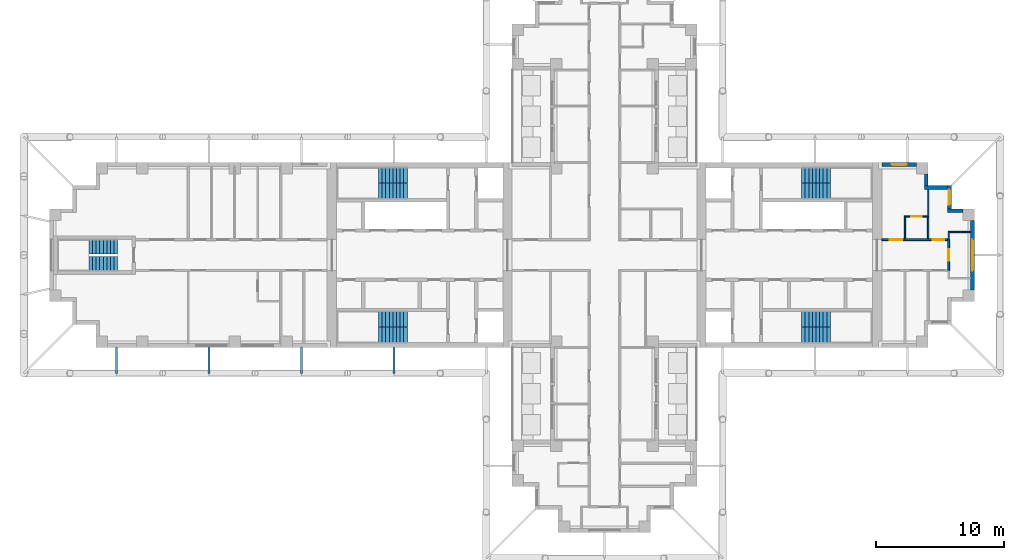
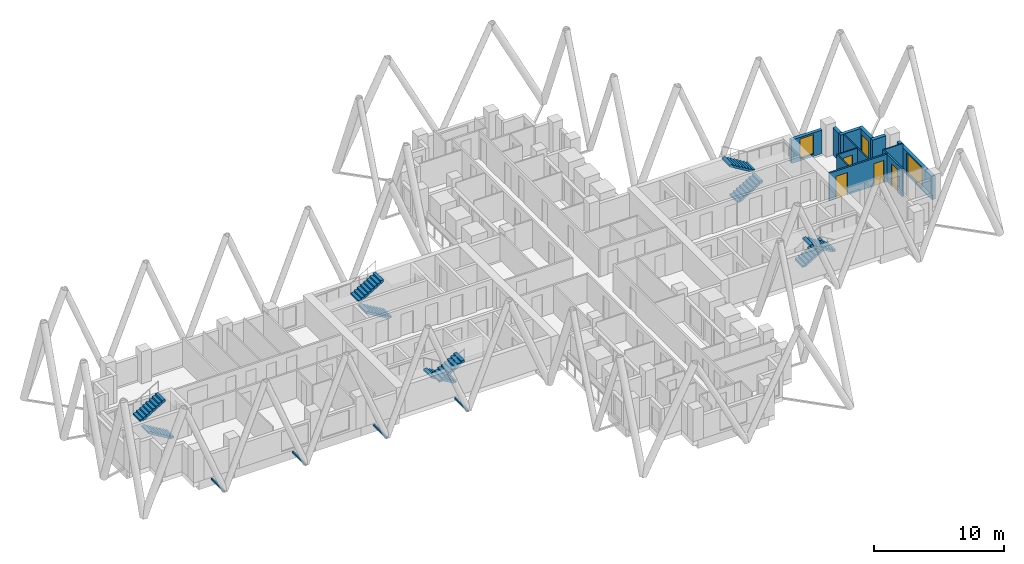
# One storey, part 9 of 12: 14 walls, 10 stair flights, 4 discrete accessories, 4 doors, 3 windows, 7 openings, 5 elements without a shape of their own.
"""IFC4 building model written with IfcOpenShell, lengths in metres."""

from ifc_helpers import new_model, si_unit, direction, frame, frame_2d, origin, origin_2d, place, context, subcontext, project, spatial, polyline, rectangle, hollow_rectangle, outline, extrude, material, layer, layer_set, type_object, element, fill, aggregate, save


model = new_model("IFC4")

# Units and contexts
model_context = context("Model", 3, precision=1e-05, world=origin(), true_north=direction((0.0, 1.0)))
body_context = subcontext(model_context, "Body", "Model", "MODEL_VIEW")
ifc_project = project(units=[si_unit("LENGTHUNIT", "METRE"), si_unit("AREAUNIT", "SQUARE_METRE"), si_unit("VOLUMEUNIT", "CUBIC_METRE"), si_unit("PLANEANGLEUNIT", "RADIAN"), si_unit("MASSUNIT", "GRAM", prefix="KILO")], contexts=[model_context])

# Site, building, storey
site_placement = place(None, origin())
site = spatial("IfcSite", under=ifc_project, at=site_placement, CompositionType="ELEMENT")
building_placement = place(site_placement, origin())
building = spatial("IfcBuilding", under=site, at=building_placement, Name="Fustian Cross Tower", CompositionType="ELEMENT")
storey_placement = place(building_placement, frame((0.0, 0.0, 179.699951171875)))
storey = spatial("IfcBuildingStorey", under=building, at=storey_placement, Name="L56", CompositionType="ELEMENT", Elevation=179.699951171875)

# Wall, openings, doors
ifc_material_1 = material(Name="Plasterboard on steel stud", Category="steel")
ifc_layer_1 = layer(ifc_material_1, 0.14990234375)
ifc_layer_set_1 = layer_set([ifc_layer_1], Name="Plasterboard on steel stud")
wall_type_1 = type_object("IfcWallType", Name="COMPARTMENT WALL 150 EI 60", PredefinedType="PARTITIONING", material=ifc_layer_set_1)
wall_1_placement = place(storey_placement, frame((21.60009765625, 1.199951171875, 0.0), z_axis=(0.0, 0.0, 1.0), x_axis=(1.0, 0.0, 0.0)))
wall_1 = element("IfcWall", 1, at=wall_1_placement, inside=storey, type_object=wall_type_1, Name="Partition 59", PredefinedType="PARTITIONING", context=body_context, shape_type="SweptSolid", body=[
    extrude(rectangle(XDim=5.125, YDim=0.14990234375, at=frame_2d((2.5625, 0.0))), origin(), (0.0, 0.0, 1.0), 2.60009765625),
])
opening_1_placement = place(wall_1_placement, frame((0.60009765625, 0.0, 0.0)))
opening_1 = element("IfcOpeningElement", 2, at=opening_1_placement, cuts=wall_1, Name="Opening D26012", PredefinedType="OPENING", context=body_context, shape_type="SweptSolid", body=[
    extrude(rectangle(XDim=1.0, YDim=2.10009765625, at=frame_2d((0.5, 1.050048828125))), frame((0.0, 0.0849609375, 0.0), z_axis=(0.0, -1.0, 0.0), x_axis=(1.0, 0.0, 0.0)), (0.0, 0.0, 1.0), 0.169921875),
])
opening_2_placement = place(wall_1_placement, frame((3.949951171875, 0.0, 0.0)))
opening_2 = element("IfcOpeningElement", 3, at=opening_2_placement, cuts=wall_1, Name="Opening D26013", PredefinedType="OPENING", context=body_context, shape_type="SweptSolid", body=[
    extrude(rectangle(XDim=0.89990234375, YDim=2.10009765625, at=frame_2d((0.449951171875, 1.050048828125))), frame((0.0, 0.0849609375, 0.0), z_axis=(0.0, -1.0, 0.0), x_axis=(1.0, 0.0, 0.0)), (0.0, 0.0, 1.0), 0.169921875),
])
ifc_material_2 = material(Name="Timber fire door set", Category="wood")
door_type_1 = type_object("IfcDoorType", Name="FIRE SWING DOOR 1000 FD30S", OperationType="SINGLE_SWING_LEFT", PredefinedType="DOOR", material=ifc_material_2)
door_1_placement = place(opening_1_placement, origin())
door_1 = element("IfcDoor", 4, at=door_1_placement, inside=storey, type_object=door_type_1, Name="Door D26012", OperationType="SINGLE_SWING_RIGHT", OverallHeight=2.10009765625, OverallWidth=1.0, PredefinedType="DOOR", context=body_context, shape_type="SweptSolid", body=[
    extrude(rectangle(XDim=1.0, YDim=2.10009765625, at=frame_2d((0.5, 1.050048828125))), frame((0.0, 0.02490234375, 0.0), z_axis=(0.0, -1.0, 0.0), x_axis=(1.0, 0.0, 0.0)), (0.0, 0.0, 1.0), 0.050048828125),
])
fill(opening_1, door_1)
ifc_material_3 = material(Name="Timber fire door set", Category="wood")
door_type_2 = type_object("IfcDoorType", Name="FIRE SWING DOOR 900 FD30S", OperationType="SINGLE_SWING_LEFT", PredefinedType="DOOR", material=ifc_material_3)
door_2_placement = place(opening_2_placement, origin())
door_2 = element("IfcDoor", 5, at=door_2_placement, inside=storey, type_object=door_type_2, Name="Door D26013", OperationType="SINGLE_SWING_LEFT", OverallHeight=2.10009765625, OverallWidth=0.89990234375, PredefinedType="DOOR", context=body_context, shape_type="SweptSolid", body=[
    extrude(rectangle(XDim=0.89990234375, YDim=2.10009765625, at=frame_2d((0.449951171875, 1.050048828125))), frame((0.0, 0.02490234375, 0.0), z_axis=(0.0, -1.0, 0.0), x_axis=(1.0, 0.0, 0.0)), (0.0, 0.0, 1.0), 0.050048828125),
])
fill(opening_2, door_2)

# Wall, opening, door
wall_2_placement = place(storey_placement, frame((26.800048828125, -1.199951171875, 0.0), z_axis=(0.0, 0.0, 1.0), x_axis=(0.0, 1.0, 0.0)))
wall_2 = element("IfcWall", 6, at=wall_2_placement, inside=storey, type_object=wall_type_1, Name="Partition 68", PredefinedType="PARTITIONING", context=body_context, shape_type="SweptSolid", body=[
    extrude(rectangle(XDim=2.39990234375, YDim=0.14990234375, at=frame_2d((1.199951171875, 0.0))), origin(), (0.0, 0.0, 1.0), 2.60009765625),
])
opening_3_placement = place(wall_2_placement, frame((0.75, 0.0, 0.0)))
opening_3 = element("IfcOpeningElement", 7, at=opening_3_placement, cuts=wall_2, Name="Opening D26010", PredefinedType="OPENING", context=body_context, shape_type="SweptSolid", body=[
    extrude(rectangle(XDim=0.89990234375, YDim=2.10009765625, at=frame_2d((0.449951171875, 1.050048828125))), frame((0.0, 0.0849609375, 0.0), z_axis=(0.0, -1.0, 0.0), x_axis=(1.0, 0.0, 0.0)), (0.0, 0.0, 1.0), 0.169921875),
])
door_3_placement = place(opening_3_placement, frame((0.89990234375, 0.0, 0.0), z_axis=(0.0, 0.0, 1.0), x_axis=(-1.0, 0.0, 0.0)))
door_3 = element("IfcDoor", 8, at=door_3_placement, inside=storey, type_object=door_type_2, Name="Door D26010", OperationType="SINGLE_SWING_RIGHT", OverallHeight=2.10009765625, OverallWidth=0.89990234375, PredefinedType="DOOR", context=body_context, shape_type="SweptSolid", body=[
    extrude(rectangle(XDim=0.89990234375, YDim=2.10009765625, at=frame_2d((0.449951171875, 1.050048828125))), frame((0.0, 0.02490234375, 0.0), z_axis=(0.0, -1.0, 0.0), x_axis=(1.0, 0.0, 0.0)), (0.0, 0.0, 1.0), 0.050048828125),
])
fill(opening_3, door_3)

# Wall
ifc_material_4 = material(Name="Plasterboard on steel stud", Category="steel")
ifc_layer_2 = layer(ifc_material_4, 0.10009765625)
ifc_layer_set_2 = layer_set([ifc_layer_2], Name="Plasterboard on steel stud")
wall_type_2 = type_object("IfcWallType", Name="PARTITION 100 STUD", PredefinedType="PARTITIONING", material=ifc_layer_set_2)
wall_3_placement = place(storey_placement, frame((23.39990234375, 1.27490234375, 0.0), z_axis=(0.0, 0.0, 1.0), x_axis=(0.0, 1.0, 0.0)))
element("IfcWall", 9, at=wall_3_placement, inside=storey, type_object=wall_type_2, Name="Partition 61", PredefinedType="PARTITIONING", context=body_context, shape_type="SweptSolid", body=[
    extrude(rectangle(XDim=1.775146484375, YDim=0.10009765625, at=frame_2d((0.8876953125, 0.0))), origin(), (0.0, 0.0, 1.0), 2.60009765625),
])

# Wall, opening, door
wall_4_placement = place(storey_placement, frame((23.449951171875, 3.0, 0.0), z_axis=(0.0, 0.0, 1.0), x_axis=(1.0, 0.0, 0.0)))
wall_4 = element("IfcWall", 10, at=wall_4_placement, inside=storey, type_object=wall_type_2, Name="Partition 62", PredefinedType="PARTITIONING", context=body_context, shape_type="SweptSolid", body=[
    extrude(rectangle(XDim=1.6875, YDim=0.10009765625, at=frame_2d((0.84375, 0.0))), origin(), (0.0, 0.0, 1.0), 2.60009765625),
])
opening_4_placement = place(wall_4_placement, frame((0.449951171875, 0.0, 0.0)))
opening_4 = element("IfcOpeningElement", 11, at=opening_4_placement, cuts=wall_4, Name="Opening D26011", PredefinedType="OPENING", context=body_context, shape_type="SweptSolid", body=[
    extrude(rectangle(XDim=0.800048828125, YDim=2.10009765625, at=frame_2d((0.39990234375, 1.050048828125))), frame((0.0, 0.06005859375, 0.0), z_axis=(0.0, -1.0, 0.0), x_axis=(1.0, 0.0, 0.0)), (0.0, 0.0, 1.0), 0.1201171875),
])
ifc_material_5 = material(Name="Painted timber", Category="wood")
door_type_3 = type_object("IfcDoorType", Name="SWING DOOR 800", OperationType="SINGLE_SWING_LEFT", PredefinedType="DOOR", material=ifc_material_5)
door_4_placement = place(opening_4_placement, frame((0.800048828125, 0.0, 0.0), z_axis=(0.0, 0.0, 1.0), x_axis=(-1.0, 0.0, 0.0)))
door_4 = element("IfcDoor", 12, at=door_4_placement, inside=storey, type_object=door_type_3, Name="Door D26011", OperationType="SINGLE_SWING_LEFT", OverallHeight=2.10009765625, OverallWidth=0.800048828125, PredefinedType="DOOR", context=body_context, shape_type="SweptSolid", body=[
    extrude(rectangle(XDim=0.800048828125, YDim=2.10009765625, at=frame_2d((0.39990234375, 1.050048828125))), frame((0.0, 0.02490234375, 0.0), z_axis=(0.0, -1.0, 0.0), x_axis=(1.0, 0.0, 0.0)), (0.0, 0.0, 1.0), 0.050048828125),
])
fill(opening_4, door_4)

# Walls
wall_5_placement = place(storey_placement, frame((25.199951171875, 3.0, 0.0), z_axis=(0.0, 0.0, 1.0), x_axis=(0.0, 1.0, 0.0)))
element("IfcWall", 13, at=wall_5_placement, inside=storey, type_object=wall_type_2, Name="Partition 65", PredefinedType="PARTITIONING", context=body_context, shape_type="SweptSolid", body=[
    extrude(rectangle(XDim=2.10009765625, YDim=0.10009765625, at=frame_2d((1.050048828125, 0.0))), origin(), (0.0, 0.0, 1.0), 2.60009765625),
])
wall_6_placement = place(storey_placement, frame((26.800048828125, 1.199951171875, 0.0), z_axis=(0.0, 0.0, 1.0), x_axis=(0.0, 1.0, 0.0)))
element("IfcWall", 14, at=wall_6_placement, inside=storey, type_object=wall_type_2, Name="Partition 69", PredefinedType="PARTITIONING", context=body_context, shape_type="SweptSolid", body=[
    extrude(rectangle(XDim=0.650146484375, YDim=0.10009765625, at=frame_2d((0.3251953125, 0.0))), origin(), (0.0, 0.0, 1.0), 2.60009765625),
])
wall_7_placement = place(storey_placement, frame((26.85009765625, 1.800048828125, 0.0), z_axis=(0.0, 0.0, 1.0), x_axis=(1.0, 0.0, 0.0)))
element("IfcWall", 15, at=wall_7_placement, inside=storey, type_object=wall_type_2, Name="Partition 70", PredefinedType="PARTITIONING", context=body_context, shape_type="SweptSolid", body=[
    extrude(rectangle(XDim=1.64990234375, YDim=0.10009765625, at=frame_2d((0.824951171875, 0.0))), origin(), (0.0, 0.0, 1.0), 2.60009765625),
])
ifc_material_6 = material(Name="Plasterboard on steel stud", Category="steel")
ifc_layer_3 = layer(ifc_material_6, 0.125)
ifc_layer_set_3 = layer_set([ifc_layer_3], Name="Plasterboard on steel stud")
wall_type_3 = type_object("IfcWallType", Name="WET WALL 125 STUD", PredefinedType="PARTITIONING", material=ifc_layer_set_3)
wall_8_placement = place(storey_placement, frame((25.199951171875, 1.27490234375, 0.0), z_axis=(0.0, 0.0, 1.0), x_axis=(0.0, 1.0, 0.0)))
element("IfcWall", 16, at=wall_8_placement, inside=storey, type_object=wall_type_3, Name="Partition 64", PredefinedType="PARTITIONING", context=body_context, shape_type="SweptSolid", body=[
    extrude(rectangle(XDim=1.72509765625, YDim=0.125, at=frame_2d((0.862548828125, 0.0))), origin(), (0.0, 0.0, 1.0), 2.60009765625),
])

# Wall, opening, window
ifc_material_7 = material(Name="Dark aluminium cladding on insulated backing wall", Category="aluminium")
ifc_layer_4 = layer(ifc_material_7, 0.300048828125)
ifc_layer_set_4 = layer_set([ifc_layer_4], Name="Dark aluminium cladding on insulated backing wall")
wall_type_4 = type_object("IfcWallType", Name="XW1 EXTERNAL WALL 300", PredefinedType="SOLIDWALL", material=ifc_layer_set_4)
wall_9_placement = place(storey_placement, frame((28.64990234375, -2.699951171875, 0.0), z_axis=(0.0, 0.0, 1.0), x_axis=(0.0, 1.0, 0.0)))
wall_9 = element("IfcWall", 17, at=wall_9_placement, inside=storey, type_object=wall_type_4, Name="External wall", PredefinedType="SOLIDWALL", context=body_context, shape_type="SweptSolid", body=[
    extrude(rectangle(XDim=5.39990234375, YDim=0.300048828125, at=frame_2d((2.699951171875, 0.0))), origin(), (0.0, 0.0, 1.0), 2.199951171875),
])
opening_5_placement = place(wall_9_placement, frame((1.5, 0.0, 0.199951171875)))
opening_5 = element("IfcOpeningElement", 18, at=opening_5_placement, cuts=wall_9, Name="Opening WN1", PredefinedType="OPENING", context=body_context, shape_type="SweptSolid", body=[
    extrude(rectangle(XDim=2.39990234375, YDim=1.85009765625, at=frame_2d((1.199951171875, 0.925048828125))), frame((0.0, 0.159912109375, 0.0), z_axis=(0.0, -1.0, 0.0), x_axis=(1.0, 0.0, 0.0)), (0.0, 0.0, 1.0), 0.320068359375),
])
ifc_material_8 = material(Name="Dark anodised aluminium and double glazing", Category="aluminium")
window_type_1 = type_object("IfcWindowType", Name="WN1 WINDOW 2400X1850", PartitioningType="SINGLE_PANEL", PredefinedType="WINDOW", material=ifc_material_8)
window_1_placement = place(opening_5_placement, origin())
window_1 = element("IfcWindow", 19, at=window_1_placement, inside=storey, type_object=window_type_1, Name="Window", OverallHeight=1.85009765625, OverallWidth=2.39990234375, PartitioningType="SINGLE_PANEL", PredefinedType="WINDOW", context=body_context, shape_type="SweptSolid", body=[
    extrude(rectangle(XDim=2.39990234375, YDim=1.85009765625, at=frame_2d((1.199951171875, 0.925048828125))), frame((0.0, 0.030029296875, 0.0), z_axis=(0.0, -1.0, 0.0), x_axis=(1.0, 0.0, 0.0)), (0.0, 0.0, 1.0), 0.06005859375),
])
fill(opening_5, window_1)

# Wall
wall_10_placement = place(storey_placement, frame((27.89990234375, 3.449951171875, 0.0), z_axis=(0.0, 0.0, 1.0), x_axis=(-1.0, 0.0, 0.0)))
element("IfcWall", 20, at=wall_10_placement, inside=storey, type_object=wall_type_4, Name="External wall", PredefinedType="SOLIDWALL", context=body_context, shape_type="SweptSolid", body=[
    extrude(rectangle(XDim=1.199951171875, YDim=0.300048828125, at=frame_2d((0.60009765625, 0.0))), origin(), (0.0, 0.0, 1.0), 2.60009765625),
])

# Wall, opening, window
wall_11_placement = place(storey_placement, frame((26.85009765625, 3.60009765625, 0.0), z_axis=(0.0, 0.0, 1.0), x_axis=(0.0, 1.0, 0.0)))
wall_11 = element("IfcWall", 21, at=wall_11_placement, inside=storey, type_object=wall_type_4, Name="External wall", PredefinedType="SOLIDWALL", context=body_context, shape_type="SweptSolid", body=[
    extrude(rectangle(XDim=1.7998046875, YDim=0.300048828125, at=frame_2d((0.89990234375, 0.0))), origin(), (0.0, 0.0, 1.0), 2.60009765625),
])
opening_6_placement = place(wall_11_placement, frame((0.300048828125, 0.0, 0.199951171875)))
opening_6 = element("IfcOpeningElement", 22, at=opening_6_placement, cuts=wall_11, Name="Opening WN3", PredefinedType="OPENING", context=body_context, shape_type="SweptSolid", body=[
    extrude(rectangle(XDim=1.199951171875, YDim=1.85009765625, at=frame_2d((0.60009765625, 0.925048828125))), frame((0.0, 0.159912109375, 0.0), z_axis=(0.0, -1.0, 0.0), x_axis=(1.0, 0.0, 0.0)), (0.0, 0.0, 1.0), 0.320068359375),
])
ifc_material_9 = material(Name="Dark anodised aluminium and double glazing", Category="aluminium")
window_type_2 = type_object("IfcWindowType", Name="WN3 WINDOW 1200X1850", PartitioningType="SINGLE_PANEL", PredefinedType="WINDOW", material=ifc_material_9)
window_2_placement = place(opening_6_placement, origin())
window_2 = element("IfcWindow", 23, at=window_2_placement, inside=storey, type_object=window_type_2, Name="Window", OverallHeight=1.85009765625, OverallWidth=1.199951171875, PartitioningType="SINGLE_PANEL", PredefinedType="WINDOW", context=body_context, shape_type="SweptSolid", body=[
    extrude(rectangle(XDim=1.199951171875, YDim=1.85009765625, at=frame_2d((0.60009765625, 0.925048828125))), frame((0.0, 0.030029296875, 0.0), z_axis=(0.0, -1.0, 0.0), x_axis=(1.0, 0.0, 0.0)), (0.0, 0.0, 1.0), 0.06005859375),
])
fill(opening_6, window_2)

# Walls
wall_12_placement = place(storey_placement, frame((26.699951171875, 5.25, 0.0), z_axis=(0.0, 0.0, 1.0), x_axis=(-1.0, 0.0, 0.0)))
element("IfcWall", 24, at=wall_12_placement, inside=storey, type_object=wall_type_4, Name="External wall", PredefinedType="SOLIDWALL", context=body_context, shape_type="SweptSolid", body=[
    extrude(rectangle(XDim=1.800048828125, YDim=0.300048828125, at=frame_2d((0.89990234375, 0.0))), origin(), (0.0, 0.0, 1.0), 2.60009765625),
])
wall_13_placement = place(storey_placement, frame((25.050048828125, 5.39990234375, 0.0), z_axis=(0.0, 0.0, 1.0), x_axis=(0.0, 1.0, 0.0)))
element("IfcWall", 25, at=wall_13_placement, inside=storey, type_object=wall_type_4, Name="External wall", PredefinedType="SOLIDWALL", context=body_context, shape_type="SweptSolid", body=[
    extrude(rectangle(XDim=0.900146484375, YDim=0.300048828125, at=frame_2d((0.4501953125, 0.0))), origin(), (0.0, 0.0, 1.0), 2.60009765625),
])

# Wall, opening, window
wall_14_placement = place(storey_placement, frame((24.300048828125, 7.050048828125, 0.0), z_axis=(0.0, 0.0, 1.0), x_axis=(-1.0, 0.0, 0.0)))
wall_14 = element("IfcWall", 26, at=wall_14_placement, inside=storey, type_object=wall_type_4, Name="External wall", PredefinedType="SOLIDWALL", context=body_context, shape_type="SweptSolid", body=[
    extrude(rectangle(XDim=2.699951171875, YDim=0.300048828125, at=frame_2d((1.35009765625, 0.0))), origin(), (0.0, 0.0, 1.0), 2.199951171875),
])
opening_7_placement = place(wall_14_placement, frame((0.75, 0.0, 0.199951171875)))
opening_7 = element("IfcOpeningElement", 27, at=opening_7_placement, cuts=wall_14, Name="Opening WN3", PredefinedType="OPENING", context=body_context, shape_type="SweptSolid", body=[
    extrude(rectangle(XDim=1.199951171875, YDim=1.85009765625, at=frame_2d((0.60009765625, 0.925048828125))), frame((0.0, 0.159912109375, 0.0), z_axis=(0.0, -1.0, 0.0), x_axis=(1.0, 0.0, 0.0)), (0.0, 0.0, 1.0), 0.320068359375),
])
window_3_placement = place(opening_7_placement, origin())
window_3 = element("IfcWindow", 28, at=window_3_placement, inside=storey, type_object=window_type_2, Name="Window", OverallHeight=1.85009765625, OverallWidth=1.199951171875, PartitioningType="SINGLE_PANEL", PredefinedType="WINDOW", context=body_context, shape_type="SweptSolid", body=[
    extrude(rectangle(XDim=1.199951171875, YDim=1.85009765625, at=frame_2d((0.60009765625, 0.925048828125))), frame((0.0, 0.030029296875, 0.0), z_axis=(0.0, -1.0, 0.0), x_axis=(1.0, 0.0, 0.0)), (0.0, 0.0, 1.0), 0.06005859375),
])
fill(opening_7, window_3)

# Stair, stair flights
ifc_material_10 = material(Name="Concrete C50/60", Category="concrete")
stair_type_1 = type_object("IfcStairType", Name="STAIR 1100 HALF TURN", PredefinedType="HALF_TURN_STAIR", material=ifc_material_10)
stair_1_placement = place(storey_placement, origin())
stair_1 = element("IfcStair", 29, at=stair_1_placement, inside=storey, type_object=stair_type_1, Name="Stair ST9", PredefinedType="HALF_TURN_STAIR")
ifc_material_11 = material(Name="Concrete C50/60", Category="concrete")
stair_flight_type_1 = type_object("IfcStairFlightType", Name="STAIR FLIGHT 1100", PredefinedType="STRAIGHT", material=ifc_material_11)
stair_flight_1_placement = place(storey_placement, frame((-37.89990234375, -0.64990234375, 0.0), z_axis=(0.0, 0.0, 1.0), x_axis=(-1.0, 0.0, 0.0)))
stair_flight_1 = element("IfcStairFlight", 30, at=stair_flight_1_placement, type_object=stair_flight_type_1, Name="ST9 flight 1", NumberOfRisers=9, NumberOfTreads=8, PredefinedType="STRAIGHT", RiserHeight=0.166666667, TreadLength=0.28, context=body_context, shape_type="SweptSolid", body=[
    extrude(outline(polyline([(0.0, 0.0), (0.0, 0.166748046875), (0.280029296875, 0.166748046875), (0.280029296875, 0.333251953125), (0.56005859375, 0.333251953125), (0.56005859375, 0.5), (0.840087890625, 0.5), (0.840087890625, 0.666748046875), (1.1201171875, 0.666748046875), (1.1201171875, 0.833251953125), (1.39990234375, 0.833251953125), (1.39990234375, 1.0), (1.679931640625, 1.0), (1.679931640625, 1.166748046875), (1.9599609375, 1.166748046875), (1.9599609375, 1.333251953125), (2.239990234375, 1.333251953125), (2.239990234375, 1.5), (2.239990234375, 1.158935546875), (0.29296875, 0.0), (0.0, 0.0)])), frame((0.0, 0.550048828125, 0.0), z_axis=(0.0, -1.0, 0.0), x_axis=(1.0, 0.0, 0.0)), (0.0, 0.0, 1.0), 1.10009765625),
])
stair_flight_2_placement = place(storey_placement, frame((-40.139892578125, 0.64990234375, 1.5), z_axis=(0.0, 0.0, 1.0), x_axis=(1.0, 0.0, 0.0)))
stair_flight_2 = element("IfcStairFlight", 31, at=stair_flight_2_placement, type_object=stair_flight_type_1, Name="ST9 flight 2", NumberOfRisers=9, NumberOfTreads=8, PredefinedType="STRAIGHT", RiserHeight=0.166666667, TreadLength=0.28, context=body_context, shape_type="SweptSolid", body=[
    extrude(outline(polyline([(0.0, 0.0), (0.0, 0.166748046875), (0.280029296875, 0.166748046875), (0.280029296875, 0.333251953125), (0.56005859375, 0.333251953125), (0.56005859375, 0.5), (0.840087890625, 0.5), (0.840087890625, 0.666748046875), (1.1201171875, 0.666748046875), (1.1201171875, 0.833251953125), (1.39990234375, 0.833251953125), (1.39990234375, 1.0), (1.679931640625, 1.0), (1.679931640625, 1.166748046875), (1.9599609375, 1.166748046875), (1.9599609375, 1.333251953125), (2.239990234375, 1.333251953125), (2.239990234375, 1.5), (2.239990234375, 1.158935546875), (0.29296875, 0.0), (0.0, 0.0)])), frame((0.0, 0.550048828125, 0.0), z_axis=(0.0, -1.0, 0.0), x_axis=(1.0, 0.0, 0.0)), (0.0, 0.0, 1.0), 1.10009765625),
])
aggregate(stair_1, [stair_flight_1, stair_flight_2])

ifc_material_12 = material(Name="Concrete C50/60", Category="concrete")
stair_type_2 = type_object("IfcStairType", Name="STAIR 1200 HALF TURN", PredefinedType="HALF_TURN_STAIR", material=ifc_material_12)
stair_2_placement = place(storey_placement, origin())
stair_2 = element("IfcStair", 32, at=stair_2_placement, inside=storey, type_object=stair_type_2, Name="Stair ST1", PredefinedType="HALF_TURN_STAIR")
ifc_material_13 = material(Name="Concrete C50/60", Category="concrete")
stair_flight_type_2 = type_object("IfcStairFlightType", Name="STAIR FLIGHT 1200", PredefinedType="STRAIGHT", material=ifc_material_13)
stair_flight_3_placement = place(storey_placement, frame((15.35009765625, 5.0, 0.0), z_axis=(0.0, 0.0, 1.0), x_axis=(1.0, 0.0, 0.0)))
stair_flight_3 = element("IfcStairFlight", 33, at=stair_flight_3_placement, type_object=stair_flight_type_2, Name="ST1 flight 1", NumberOfRisers=9, NumberOfTreads=8, PredefinedType="STRAIGHT", RiserHeight=0.166666667, TreadLength=0.28, context=body_context, shape_type="SweptSolid", body=[
    extrude(outline(polyline([(0.0, 0.0), (0.0, 0.166748046875), (0.280029296875, 0.166748046875), (0.280029296875, 0.333251953125), (0.56005859375, 0.333251953125), (0.56005859375, 0.5), (0.840087890625, 0.5), (0.840087890625, 0.666748046875), (1.1201171875, 0.666748046875), (1.1201171875, 0.833251953125), (1.39990234375, 0.833251953125), (1.39990234375, 1.0), (1.679931640625, 1.0), (1.679931640625, 1.166748046875), (1.9599609375, 1.166748046875), (1.9599609375, 1.333251953125), (2.239990234375, 1.333251953125), (2.239990234375, 1.5), (2.239990234375, 1.158935546875), (0.29296875, 0.0), (0.0, 0.0)])), frame((0.0, 0.60009765625, 0.0), z_axis=(0.0, -1.0, 0.0), x_axis=(1.0, 0.0, 0.0)), (0.0, 0.0, 1.0), 1.199951171875),
])
stair_flight_4_placement = place(storey_placement, frame((17.590087890625, 6.199951171875, 1.5), z_axis=(0.0, 0.0, 1.0), x_axis=(-1.0, 0.0, 0.0)))
stair_flight_4 = element("IfcStairFlight", 34, at=stair_flight_4_placement, type_object=stair_flight_type_2, Name="ST1 flight 2", NumberOfRisers=9, NumberOfTreads=8, PredefinedType="STRAIGHT", RiserHeight=0.166666667, TreadLength=0.28, context=body_context, shape_type="SweptSolid", body=[
    extrude(outline(polyline([(0.0, 0.0), (0.0, 0.166748046875), (0.280029296875, 0.166748046875), (0.280029296875, 0.333251953125), (0.56005859375, 0.333251953125), (0.56005859375, 0.5), (0.840087890625, 0.5), (0.840087890625, 0.666748046875), (1.1201171875, 0.666748046875), (1.1201171875, 0.833251953125), (1.39990234375, 0.833251953125), (1.39990234375, 1.0), (1.679931640625, 1.0), (1.679931640625, 1.166748046875), (1.9599609375, 1.166748046875), (1.9599609375, 1.333251953125), (2.239990234375, 1.333251953125), (2.239990234375, 1.5), (2.239990234375, 1.158935546875), (0.29296875, 0.0), (0.0, 0.0)])), frame((0.0, 0.60009765625, 0.0), z_axis=(0.0, -1.0, 0.0), x_axis=(1.0, 0.0, 0.0)), (0.0, 0.0, 1.0), 1.199951171875),
])
aggregate(stair_2, [stair_flight_3, stair_flight_4])

stair_3_placement = place(storey_placement, origin())
stair_3 = element("IfcStair", 35, at=stair_3_placement, inside=storey, type_object=stair_type_2, Name="Stair ST2", PredefinedType="HALF_TURN_STAIR")
stair_flight_5_placement = place(storey_placement, frame((15.35009765625, -5.0, 0.0), z_axis=(0.0, 0.0, 1.0), x_axis=(1.0, 0.0, 0.0)))
stair_flight_5 = element("IfcStairFlight", 36, at=stair_flight_5_placement, type_object=stair_flight_type_2, Name="ST2 flight 1", NumberOfRisers=9, NumberOfTreads=8, PredefinedType="STRAIGHT", RiserHeight=0.166666667, TreadLength=0.28, context=body_context, shape_type="SweptSolid", body=[
    extrude(outline(polyline([(0.0, 0.0), (0.0, 0.166748046875), (0.280029296875, 0.166748046875), (0.280029296875, 0.333251953125), (0.56005859375, 0.333251953125), (0.56005859375, 0.5), (0.840087890625, 0.5), (0.840087890625, 0.666748046875), (1.1201171875, 0.666748046875), (1.1201171875, 0.833251953125), (1.39990234375, 0.833251953125), (1.39990234375, 1.0), (1.679931640625, 1.0), (1.679931640625, 1.166748046875), (1.9599609375, 1.166748046875), (1.9599609375, 1.333251953125), (2.239990234375, 1.333251953125), (2.239990234375, 1.5), (2.239990234375, 1.158935546875), (0.29296875, 0.0), (0.0, 0.0)])), frame((0.0, 0.60009765625, 0.0), z_axis=(0.0, -1.0, 0.0), x_axis=(1.0, 0.0, 0.0)), (0.0, 0.0, 1.0), 1.199951171875),
])
stair_flight_6_placement = place(storey_placement, frame((17.590087890625, -6.199951171875, 1.5), z_axis=(0.0, 0.0, 1.0), x_axis=(-1.0, 0.0, 0.0)))
stair_flight_6 = element("IfcStairFlight", 37, at=stair_flight_6_placement, type_object=stair_flight_type_2, Name="ST2 flight 2", NumberOfRisers=9, NumberOfTreads=8, PredefinedType="STRAIGHT", RiserHeight=0.166666667, TreadLength=0.28, context=body_context, shape_type="SweptSolid", body=[
    extrude(outline(polyline([(0.0, 0.0), (0.0, 0.166748046875), (0.280029296875, 0.166748046875), (0.280029296875, 0.333251953125), (0.56005859375, 0.333251953125), (0.56005859375, 0.5), (0.840087890625, 0.5), (0.840087890625, 0.666748046875), (1.1201171875, 0.666748046875), (1.1201171875, 0.833251953125), (1.39990234375, 0.833251953125), (1.39990234375, 1.0), (1.679931640625, 1.0), (1.679931640625, 1.166748046875), (1.9599609375, 1.166748046875), (1.9599609375, 1.333251953125), (2.239990234375, 1.333251953125), (2.239990234375, 1.5), (2.239990234375, 1.158935546875), (0.29296875, 0.0), (0.0, 0.0)])), frame((0.0, 0.60009765625, 0.0), z_axis=(0.0, -1.0, 0.0), x_axis=(1.0, 0.0, 0.0)), (0.0, 0.0, 1.0), 1.199951171875),
])
aggregate(stair_3, [stair_flight_5, stair_flight_6])

stair_4_placement = place(storey_placement, origin())
stair_4 = element("IfcStair", 38, at=stair_4_placement, inside=storey, type_object=stair_type_2, Name="Stair ST3", PredefinedType="HALF_TURN_STAIR")
stair_flight_7_placement = place(storey_placement, frame((-15.35009765625, 5.0, 0.0), z_axis=(0.0, 0.0, 1.0), x_axis=(-1.0, 0.0, 0.0)))
stair_flight_7 = element("IfcStairFlight", 39, at=stair_flight_7_placement, type_object=stair_flight_type_2, Name="ST3 flight 1", NumberOfRisers=9, NumberOfTreads=8, PredefinedType="STRAIGHT", RiserHeight=0.166666667, TreadLength=0.28, context=body_context, shape_type="SweptSolid", body=[
    extrude(outline(polyline([(0.0, 0.0), (0.0, 0.166748046875), (0.280029296875, 0.166748046875), (0.280029296875, 0.333251953125), (0.56005859375, 0.333251953125), (0.56005859375, 0.5), (0.840087890625, 0.5), (0.840087890625, 0.666748046875), (1.1201171875, 0.666748046875), (1.1201171875, 0.833251953125), (1.39990234375, 0.833251953125), (1.39990234375, 1.0), (1.679931640625, 1.0), (1.679931640625, 1.166748046875), (1.9599609375, 1.166748046875), (1.9599609375, 1.333251953125), (2.239990234375, 1.333251953125), (2.239990234375, 1.5), (2.239990234375, 1.158935546875), (0.29296875, 0.0), (0.0, 0.0)])), frame((0.0, 0.60009765625, 0.0), z_axis=(0.0, -1.0, 0.0), x_axis=(1.0, 0.0, 0.0)), (0.0, 0.0, 1.0), 1.199951171875),
])
stair_flight_8_placement = place(storey_placement, frame((-17.590087890625, 6.199951171875, 1.5), z_axis=(0.0, 0.0, 1.0), x_axis=(1.0, 0.0, 0.0)))
stair_flight_8 = element("IfcStairFlight", 40, at=stair_flight_8_placement, type_object=stair_flight_type_2, Name="ST3 flight 2", NumberOfRisers=9, NumberOfTreads=8, PredefinedType="STRAIGHT", RiserHeight=0.166666667, TreadLength=0.28, context=body_context, shape_type="SweptSolid", body=[
    extrude(outline(polyline([(0.0, 0.0), (0.0, 0.166748046875), (0.280029296875, 0.166748046875), (0.280029296875, 0.333251953125), (0.56005859375, 0.333251953125), (0.56005859375, 0.5), (0.840087890625, 0.5), (0.840087890625, 0.666748046875), (1.1201171875, 0.666748046875), (1.1201171875, 0.833251953125), (1.39990234375, 0.833251953125), (1.39990234375, 1.0), (1.679931640625, 1.0), (1.679931640625, 1.166748046875), (1.9599609375, 1.166748046875), (1.9599609375, 1.333251953125), (2.239990234375, 1.333251953125), (2.239990234375, 1.5), (2.239990234375, 1.158935546875), (0.29296875, 0.0), (0.0, 0.0)])), frame((0.0, 0.60009765625, 0.0), z_axis=(0.0, -1.0, 0.0), x_axis=(1.0, 0.0, 0.0)), (0.0, 0.0, 1.0), 1.199951171875),
])
aggregate(stair_4, [stair_flight_7, stair_flight_8])

stair_5_placement = place(storey_placement, origin())
stair_5 = element("IfcStair", 41, at=stair_5_placement, inside=storey, type_object=stair_type_2, Name="Stair ST4", PredefinedType="HALF_TURN_STAIR")
stair_flight_9_placement = place(storey_placement, frame((-15.35009765625, -5.0, 0.0), z_axis=(0.0, 0.0, 1.0), x_axis=(-1.0, 0.0, 0.0)))
stair_flight_9 = element("IfcStairFlight", 42, at=stair_flight_9_placement, type_object=stair_flight_type_2, Name="ST4 flight 1", NumberOfRisers=9, NumberOfTreads=8, PredefinedType="STRAIGHT", RiserHeight=0.166666667, TreadLength=0.28, context=body_context, shape_type="SweptSolid", body=[
    extrude(outline(polyline([(0.0, 0.0), (0.0, 0.166748046875), (0.280029296875, 0.166748046875), (0.280029296875, 0.333251953125), (0.56005859375, 0.333251953125), (0.56005859375, 0.5), (0.840087890625, 0.5), (0.840087890625, 0.666748046875), (1.1201171875, 0.666748046875), (1.1201171875, 0.833251953125), (1.39990234375, 0.833251953125), (1.39990234375, 1.0), (1.679931640625, 1.0), (1.679931640625, 1.166748046875), (1.9599609375, 1.166748046875), (1.9599609375, 1.333251953125), (2.239990234375, 1.333251953125), (2.239990234375, 1.5), (2.239990234375, 1.158935546875), (0.29296875, 0.0), (0.0, 0.0)])), frame((0.0, 0.60009765625, 0.0), z_axis=(0.0, -1.0, 0.0), x_axis=(1.0, 0.0, 0.0)), (0.0, 0.0, 1.0), 1.199951171875),
])
stair_flight_10_placement = place(storey_placement, frame((-17.590087890625, -6.199951171875, 1.5), z_axis=(0.0, 0.0, 1.0), x_axis=(1.0, 0.0, 0.0)))
stair_flight_10 = element("IfcStairFlight", 43, at=stair_flight_10_placement, type_object=stair_flight_type_2, Name="ST4 flight 2", NumberOfRisers=9, NumberOfTreads=8, PredefinedType="STRAIGHT", RiserHeight=0.166666667, TreadLength=0.28, context=body_context, shape_type="SweptSolid", body=[
    extrude(outline(polyline([(0.0, 0.0), (0.0, 0.166748046875), (0.280029296875, 0.166748046875), (0.280029296875, 0.333251953125), (0.56005859375, 0.333251953125), (0.56005859375, 0.5), (0.840087890625, 0.5), (0.840087890625, 0.666748046875), (1.1201171875, 0.666748046875), (1.1201171875, 0.833251953125), (1.39990234375, 0.833251953125), (1.39990234375, 1.0), (1.679931640625, 1.0), (1.679931640625, 1.166748046875), (1.9599609375, 1.166748046875), (1.9599609375, 1.333251953125), (2.239990234375, 1.333251953125), (2.239990234375, 1.5), (2.239990234375, 1.158935546875), (0.29296875, 0.0), (0.0, 0.0)])), frame((0.0, 0.60009765625, 0.0), z_axis=(0.0, -1.0, 0.0), x_axis=(1.0, 0.0, 0.0)), (0.0, 0.0, 1.0), 1.199951171875),
])
aggregate(stair_5, [stair_flight_9, stair_flight_10])

# Discrete accessories
ifc_material_14 = material(Name="Steel S355", Category="steel")
for number, where, z_axis, x_axis, name in (
    (44, (-38.0, -9.199951171875, -0.14990234375), (0.0, 1.0, 0.0), (-1.0, 0.0, 0.0), "Diagrid node bracket L56-20"),
    (45, (-30.800048828125, -9.199951171875, -0.14990234375), (0.0, 1.0, 0.0), (-1.0, 0.0, 0.0), "Diagrid node bracket L56-21"),
    (46, (-23.60009765625, -9.199951171875, -0.14990234375), (0.0, 1.0, 0.0), (-1.0, 0.0, 0.0), "Diagrid node bracket L56-22"),
    (47, (-16.39990234375, -9.199951171875, -0.14990234375), (0.0, 1.0, 0.0), (-1.0, 0.0, 0.0), "Diagrid node bracket L56-23"),
):
    element("IfcDiscreteAccessory", number, at=place(storey_placement, frame(where, z_axis=z_axis, x_axis=x_axis)), inside=storey, material=ifc_material_14, Name=name, PredefinedType="BRACKET", context=body_context, shape_type="SweptSolid", body=[
        extrude(hollow_rectangle(XDim=0.14990234375, YDim=0.14990234375, WallThickness=0.010009765625, at=origin_2d()), origin(), (0.0, 0.0, 1.0), 2.0),
    ])

save(model, "model.ifc")
